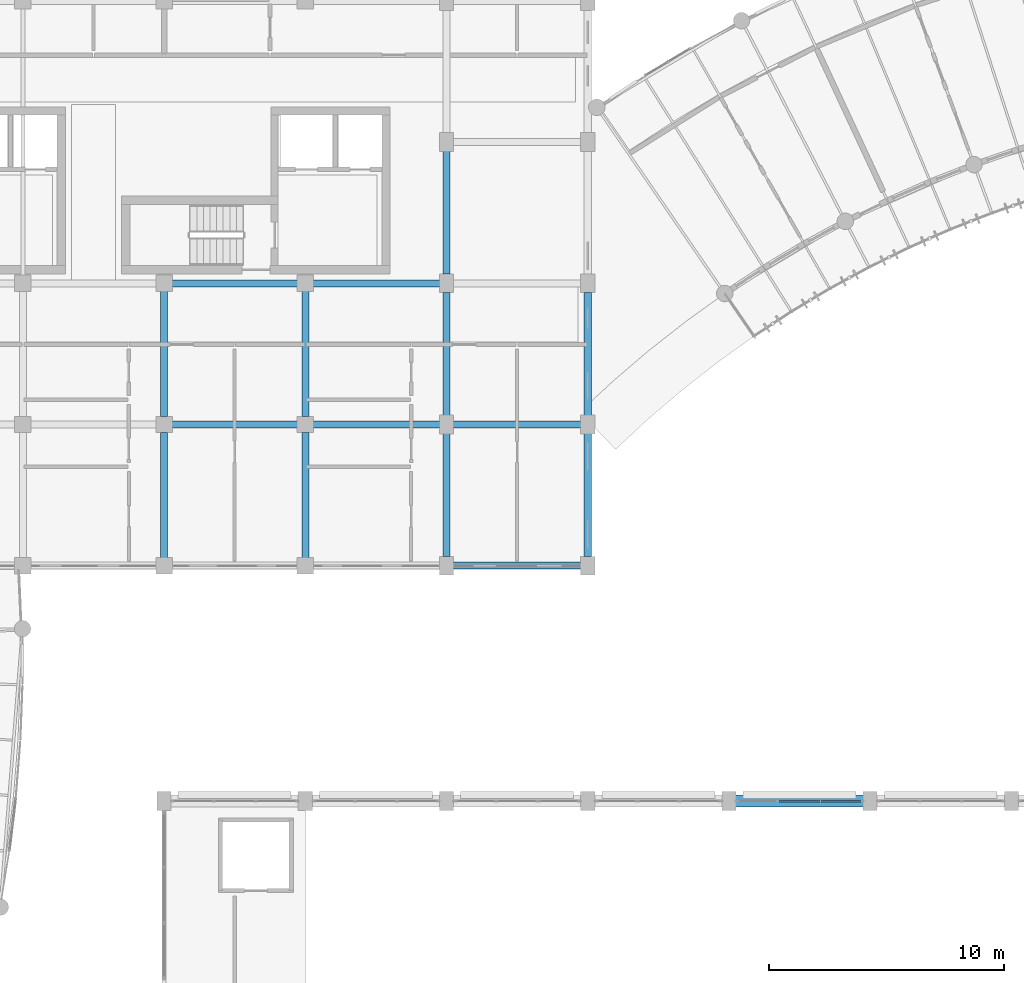
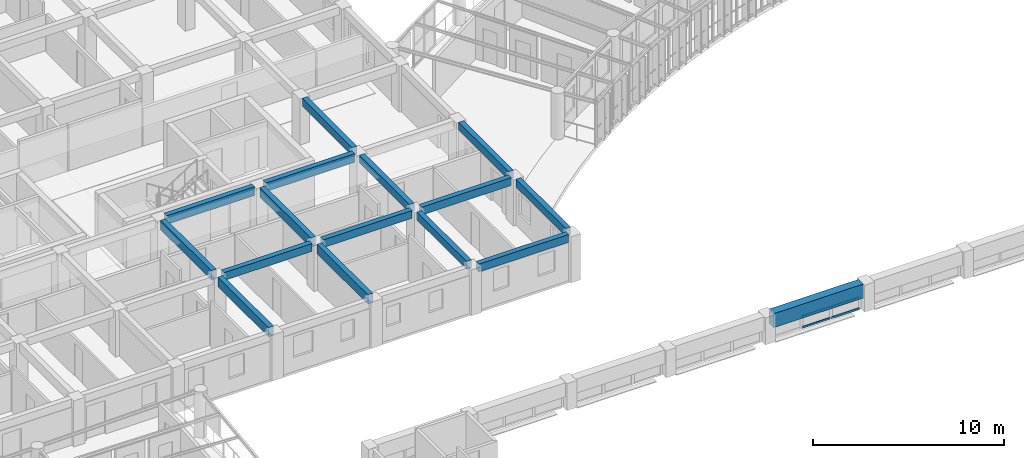
# One storey, part 44 of 137: 16 beams, 4 members, 1 element without a shape of its own.
"""IFC4 building model written with IfcOpenShell, lengths in metres."""

from ifc_helpers import new_model, si_unit, direction, frame, origin, origin_2d, place, context, subcontext, project, spatial, rectangle, extrude, material, layer, layer_set, material_profile, profile_set, type_object, element, aggregate, save


model = new_model("IFC4")

# Units and contexts
model_context = context("Model", 3, precision=1e-05, world=origin(), true_north=direction((0.0, 1.0)))
body_context = subcontext(model_context, "Body", "Model", "MODEL_VIEW")
ifc_project = project(units=[si_unit("LENGTHUNIT", "METRE"), si_unit("AREAUNIT", "SQUARE_METRE"), si_unit("VOLUMEUNIT", "CUBIC_METRE"), si_unit("PLANEANGLEUNIT", "RADIAN"), si_unit("MASSUNIT", "GRAM", prefix="KILO"), si_unit("POWERUNIT", "WATT"), si_unit("THERMODYNAMICTEMPERATUREUNIT", "KELVIN")], contexts=[model_context])

# Site, building, storey
site_placement = place(None, origin())
site = spatial("IfcSite", under=ifc_project, at=site_placement, CompositionType="ELEMENT")
building_placement = place(site_placement, origin())
building = spatial("IfcBuilding", under=site, at=building_placement, Name="Ruvembo Vaulted Housing Court", CompositionType="ELEMENT")
storey_placement = place(building_placement, frame((0.0, 0.0, 4.5)))
storey = spatial("IfcBuildingStorey", under=building, at=storey_placement, Name="L01", CompositionType="ELEMENT", Elevation=4.5)

# Beams
ifc_material_1 = material(Name="Concrete C35/45", Category="concrete")
ifc_material_profile_1 = material_profile(ifc_material_1, rectangle(XDim=0.300048828125, YDim=0.550048828125, at=origin_2d()), Name="RC 300x550")
ifc_profile_set_1 = profile_set([ifc_material_profile_1], Name="Concrete C35/45")
beam_type_1 = type_object("IfcBeamType", Name="BM-RC-300x550", PredefinedType="BEAM", material=ifc_profile_set_1)
beam_1_placement = place(storey_placement, frame((66.3349609375, 90.0, 2.669921875), z_axis=(1.0, 0.0, 0.0), x_axis=(0.0, 1.0, 0.0)))
element("IfcBeam", 1, at=beam_1_placement, inside=storey, type_object=beam_type_1, Name="L01 Grid Beam X #1267", PredefinedType="BEAM", context=body_context, shape_type="SweptSolid", body=[
    extrude(rectangle(XDim=0.300048828125, YDim=0.550048828125, at=origin_2d()), origin(), (0.0, 0.0, 1.0), 5.330078125),
])
beam_2_placement = place(storey_placement, frame((72.3349609375, 90.0, 2.669921875), z_axis=(1.0, 0.0, 0.0), x_axis=(0.0, 1.0, 0.0)))
element("IfcBeam", 2, at=beam_2_placement, inside=storey, type_object=beam_type_1, Name="L01 Grid Beam X #1268", PredefinedType="BEAM", context=body_context, shape_type="SweptSolid", body=[
    extrude(rectangle(XDim=0.300048828125, YDim=0.550048828125, at=origin_2d()), origin(), (0.0, 0.0, 1.0), 5.380126953125),
])
ifc_material_profile_2 = material_profile(ifc_material_1, rectangle(XDim=0.300048828125, YDim=0.60009765625, at=origin_2d()), Name="RC 300x600")
ifc_profile_set_2 = profile_set([ifc_material_profile_2], Name="Concrete C35/45")
beam_type_2 = type_object("IfcBeamType", Name="BM-RC-300x600", PredefinedType="BEAM", material=ifc_profile_set_2)
for number, where, z_axis, x_axis, name in (
    (3, (66.0, 78.3349609375, 2.64501953125), (0.0, 1.0, 0.0), (-1.0, 0.0, 0.0), "L01 Grid Beam Y #1362"),
    (4, (66.0, 84.3349609375, 2.64501953125), (0.0, 1.0, 0.0), (-1.0, 0.0, 0.0), "L01 Grid Beam Y #1363"),
    (5, (72.0, 78.3349609375, 2.64501953125), (0.0, 1.0, 0.0), (-1.0, 0.0, 0.0), "L01 Grid Beam Y #1366"),
    (6, (72.0, 84.3349609375, 2.64501953125), (0.0, 1.0, 0.0), (-1.0, 0.0, 0.0), "L01 Grid Beam Y #1367"),
):
    element("IfcBeam", number, at=place(storey_placement, frame(where, z_axis=z_axis, x_axis=x_axis)), inside=storey, type_object=beam_type_2, Name=name, PredefinedType="BEAM", context=body_context, shape_type="SweptSolid", body=[
        extrude(rectangle(XDim=0.300048828125, YDim=0.60009765625, at=origin_2d()), origin(), (0.0, 0.0, 1.0), 5.330078125),
    ])

# Curtain wall, members
ifc_material_2 = material(Name="Anodised Aluminium and Solar-Control Glass", Category="aluminium")
ifc_layer = layer(ifc_material_2, 0.139892578125, Name="Anodised Aluminium and Solar-Control Glass")
ifc_layer_set = layer_set([ifc_layer], Name="Anodised Aluminium and Solar-Control Glass")
curtain_wall_type = type_object("IfcCurtainWallType", Name="CW-HALL-CLER", PredefinedType="NOTDEFINED", material=ifc_layer_set)
curtain_wall_placement = place(storey_placement, origin())
curtain_wall = element("IfcCurtainWall", 7, at=curtain_wall_placement, inside=storey, type_object=curtain_wall_type, Name="L01 Curtain Wall CW-L01-0106", PredefinedType="NOTDEFINED")
ifc_material_3 = material(Name="Anodised Aluminium 6063-T6", Category="aluminium")
ifc_material_profile_3 = material_profile(ifc_material_3, rectangle(XDim=0.06494140625, YDim=0.135009765625, at=origin_2d()), Name="ALU 65x135")
ifc_profile_set_3 = profile_set([ifc_material_profile_3], Name="Anodised Aluminium 6063-T6")
member_type = type_object("IfcMemberType", Name="CW-TRN-65x135", PredefinedType="USERDEFINED", material=ifc_profile_set_3)
member_1_placement = place(storey_placement, frame((92.140869140625, 68.0, 0.032470703125), z_axis=(1.0, 0.0, 0.0), x_axis=(0.0, 1.0, 0.0)))
member_1 = element("IfcMember", 8, at=member_1_placement, type_object=member_type, Name="CW7 transom 2.1", ObjectType="TRANSOM", PredefinedType="USERDEFINED", context=body_context, shape_type="SweptSolid", body=[
    extrude(rectangle(XDim=0.06494140625, YDim=0.135009765625, at=origin_2d()), origin(), (0.0, 0.0, 1.0), 1.71826171875),
])
member_2_placement = place(storey_placement, frame((92.140869140625, 68.0, 0.717529296875), z_axis=(1.0, 0.0, 0.0), x_axis=(0.0, 1.0, 0.0)))
member_2 = element("IfcMember", 9, at=member_2_placement, type_object=member_type, Name="CW7 transom 2.2", ObjectType="TRANSOM", PredefinedType="USERDEFINED", context=body_context, shape_type="SweptSolid", body=[
    extrude(rectangle(XDim=0.06494140625, YDim=0.135009765625, at=origin_2d()), origin(), (0.0, 0.0, 1.0), 1.71826171875),
])
member_3_placement = place(storey_placement, frame((93.924072265625, 68.0, 0.032470703125), z_axis=(1.0, 0.0, 0.0), x_axis=(0.0, 1.0, 0.0)))
member_3 = element("IfcMember", 10, at=member_3_placement, type_object=member_type, Name="CW7 transom 3.1", ObjectType="TRANSOM", PredefinedType="USERDEFINED", context=body_context, shape_type="SweptSolid", body=[
    extrude(rectangle(XDim=0.06494140625, YDim=0.135009765625, at=origin_2d()), origin(), (0.0, 0.0, 1.0), 1.68603515625),
])
member_4_placement = place(storey_placement, frame((93.924072265625, 68.0, 0.717529296875), z_axis=(1.0, 0.0, 0.0), x_axis=(0.0, 1.0, 0.0)))
member_4 = element("IfcMember", 11, at=member_4_placement, type_object=member_type, Name="CW7 transom 3.2", ObjectType="TRANSOM", PredefinedType="USERDEFINED", context=body_context, shape_type="SweptSolid", body=[
    extrude(rectangle(XDim=0.06494140625, YDim=0.135009765625, at=origin_2d()), origin(), (0.0, 0.0, 1.0), 1.68603515625),
])
aggregate(curtain_wall, [member_1, member_2, member_3, member_4])

# Beams
ifc_material_profile_4 = material_profile(ifc_material_1, rectangle(XDim=0.300048828125, YDim=0.5, at=origin_2d()), Name="RC 300x500")
ifc_profile_set_4 = profile_set([ifc_material_profile_4], Name="Concrete C35/45")
beam_type_3 = type_object("IfcBeamType", Name="SP-RC-300x500", PredefinedType="SPANDREL", material=ifc_profile_set_4)
beam_3_placement = place(storey_placement, frame((78.284912109375, 78.0, 2.695068359375), z_axis=(1.0, 0.0, 0.0), x_axis=(0.0, 1.0, 0.0)))
element("IfcBeam", 12, at=beam_3_placement, inside=storey, type_object=beam_type_3, Name="L01 Grid Beam X #1239", PredefinedType="SPANDREL", context=body_context, shape_type="SweptSolid", body=[
    extrude(rectangle(XDim=0.300048828125, YDim=0.5, at=origin_2d()), origin(), (0.0, 0.0, 1.0), 5.43017578125),
])
beam_4_placement = place(storey_placement, frame((66.3349609375, 84.0, 2.695068359375), z_axis=(1.0, 0.0, 0.0), x_axis=(0.0, 1.0, 0.0)))
element("IfcBeam", 13, at=beam_4_placement, inside=storey, type_object=beam_type_3, Name="L01 Grid Beam X #1255", PredefinedType="SPANDREL", context=body_context, shape_type="SweptSolid", body=[
    extrude(rectangle(XDim=0.300048828125, YDim=0.5, at=origin_2d()), origin(), (0.0, 0.0, 1.0), 5.330078125),
])
beam_5_placement = place(storey_placement, frame((72.3349609375, 84.0, 2.695068359375), z_axis=(1.0, 0.0, 0.0), x_axis=(0.0, 1.0, 0.0)))
element("IfcBeam", 14, at=beam_5_placement, inside=storey, type_object=beam_type_3, Name="L01 Grid Beam X #1256", PredefinedType="SPANDREL", context=body_context, shape_type="SweptSolid", body=[
    extrude(rectangle(XDim=0.300048828125, YDim=0.5, at=origin_2d()), origin(), (0.0, 0.0, 1.0), 5.380126953125),
])
beam_6_placement = place(storey_placement, frame((78.284912109375, 84.0, 2.695068359375), z_axis=(1.0, 0.0, 0.0), x_axis=(0.0, 1.0, 0.0)))
element("IfcBeam", 15, at=beam_6_placement, inside=storey, type_object=beam_type_3, Name="L01 Grid Beam X #1257", PredefinedType="SPANDREL", context=body_context, shape_type="SweptSolid", body=[
    extrude(rectangle(XDim=0.300048828125, YDim=0.5, at=origin_2d()), origin(), (0.0, 0.0, 1.0), 5.43017578125),
])
for number, where, z_axis, x_axis, name in (
    (16, (78.0, 78.385009765625, 2.695068359375), (0.0, 1.0, 0.0), (-1.0, 0.0, 0.0), "L01 Grid Beam Y #1370"),
    (17, (78.0, 84.385009765625, 2.695068359375), (0.0, 1.0, 0.0), (-1.0, 0.0, 0.0), "L01 Grid Beam Y #1371"),
    (18, (78.0, 90.385009765625, 2.695068359375), (0.0, 1.0, 0.0), (-1.0, 0.0, 0.0), "L01 Grid Beam Y #1372"),
    (19, (84.0, 78.385009765625, 2.695068359375), (0.0, 1.0, 0.0), (-1.0, 0.0, 0.0), "L01 Grid Beam Y #1376"),
    (20, (84.0, 84.385009765625, 2.695068359375), (0.0, 1.0, 0.0), (-1.0, 0.0, 0.0), "L01 Grid Beam Y #1377"),
):
    element("IfcBeam", number, at=place(storey_placement, frame(where, z_axis=z_axis, x_axis=x_axis)), inside=storey, type_object=beam_type_3, Name=name, PredefinedType="SPANDREL", context=body_context, shape_type="SweptSolid", body=[
        extrude(rectangle(XDim=0.300048828125, YDim=0.5, at=origin_2d()), origin(), (0.0, 0.0, 1.0), 5.22998046875),
    ])
ifc_material_profile_5 = material_profile(ifc_material_1, rectangle(XDim=0.5, YDim=0.89990234375, at=origin_2d()), Name="RC 500x900")
ifc_profile_set_5 = profile_set([ifc_material_profile_5], Name="Concrete C35/45")
beam_type_4 = type_object("IfcBeamType", Name="SP-RC-500x900", PredefinedType="SPANDREL", material=ifc_profile_set_5)
beam_7_placement = place(storey_placement, frame((90.284912109375, 68.0, 1.25), z_axis=(1.0, 0.0, 0.0), x_axis=(0.0, 1.0, 0.0)))
element("IfcBeam", 21, at=beam_7_placement, inside=storey, type_object=beam_type_4, Name="L01 Grid Beam X #1225", PredefinedType="SPANDREL", context=body_context, shape_type="SweptSolid", body=[
    extrude(rectangle(XDim=0.5, YDim=0.89990234375, at=origin_2d()), origin(), (0.0, 0.0, 1.0), 5.43017578125),
])

save(model, "model.ifc")
